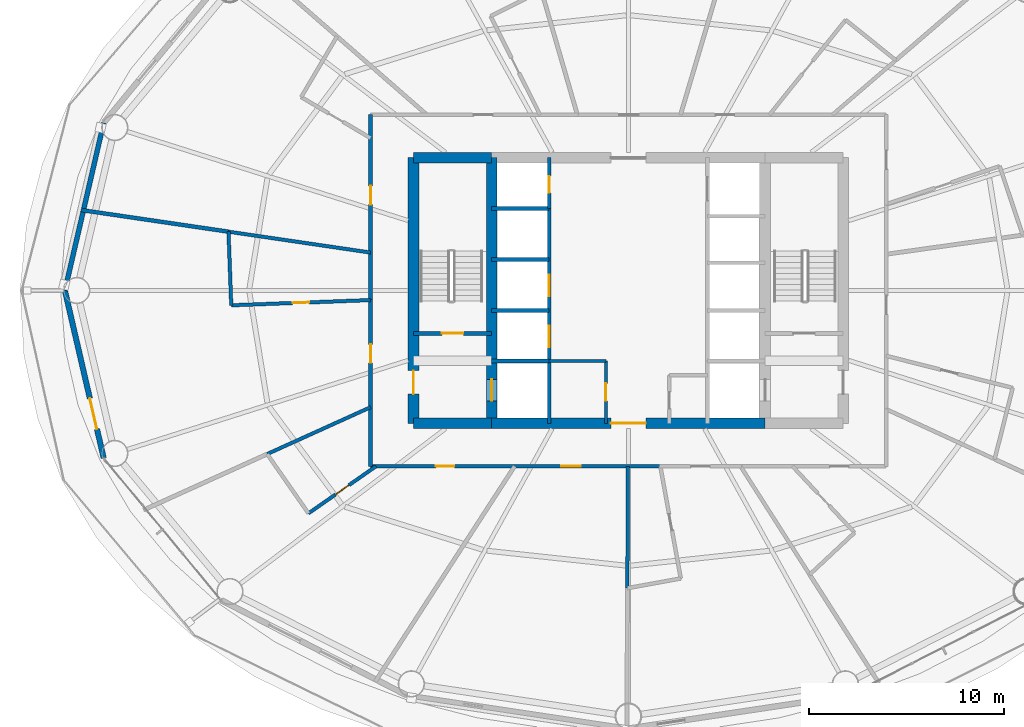
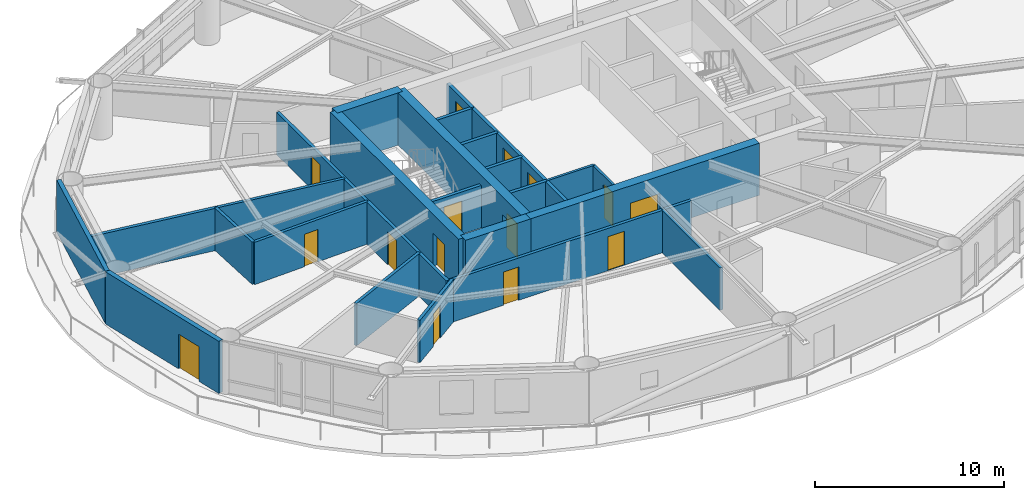
# One storey, part 18 of 24: 27 walls, 15 doors, 15 openings.
"""IFC4 building model written with IfcOpenShell, lengths in metres."""

from ifc_helpers import new_model, si_unit, direction, frame, frame_2d, origin, place, context, subcontext, project, spatial, rectangle, extrude, material, layer, layer_set, type_object, element, fill, save


model = new_model("IFC4")

# Units and contexts
model_context = context("Model", 3, precision=1e-05, world=origin(), true_north=direction((0.0, 1.0)))
body_context = subcontext(model_context, "Body", "Model", "MODEL_VIEW")
ifc_project = project(units=[si_unit("LENGTHUNIT", "METRE"), si_unit("AREAUNIT", "SQUARE_METRE"), si_unit("VOLUMEUNIT", "CUBIC_METRE"), si_unit("PLANEANGLEUNIT", "RADIAN"), si_unit("MASSUNIT", "GRAM", prefix="KILO")], contexts=[model_context])

# Site, building, storey
site_placement = place(None, origin())
site = spatial("IfcSite", under=ifc_project, at=site_placement, CompositionType="ELEMENT")
building_placement = place(site_placement, origin())
building = spatial("IfcBuilding", under=site, at=building_placement, Name="Sarneth Arch Tower", CompositionType="ELEMENT")
storey_placement = place(building_placement, frame((0.0, 0.0, 120.0)))
storey = spatial("IfcBuildingStorey", under=building, at=storey_placement, Name="L30", CompositionType="ELEMENT", Elevation=120.0)

# Wall
ifc_material_1 = material(Name="Concrete C60/75", Category="concrete")
ifc_layer_1 = layer(ifc_material_1, 0.550048828125)
ifc_layer_set_1 = layer_set([ifc_layer_1], Name="Concrete C60/75")
wall_type_1 = type_object("IfcWallType", Name="WALL-CORE-550", PredefinedType="SHEAR", material=ifc_layer_set_1)
wall_1_placement = place(storey_placement, frame((37.0, 35.199951171875, 0.0), z_axis=(0.0, 0.0, 1.0), x_axis=(1.0, 0.0, 0.0)))
element("IfcWall", 1, at=wall_1_placement, inside=storey, type_object=wall_type_1, Name="L30 Core shear wall S-W", PredefinedType="SHEAR", context=body_context, shape_type="SweptSolid", body=[
    extrude(rectangle(XDim=4.0, YDim=0.550048828125, at=frame_2d((2.0, 0.0))), origin(), (0.0, 0.0, 1.0), 3.3798828125),
])

# Wall, opening, door
wall_2_placement = place(storey_placement, frame((41.0, 35.199951171875, 0.0), z_axis=(0.0, 0.0, 1.0), x_axis=(1.0, 0.0, 0.0)))
wall_2 = element("IfcWall", 2, at=wall_2_placement, inside=storey, type_object=wall_type_1, Name="L30 Core shear wall S-M", PredefinedType="SHEAR", context=body_context, shape_type="SweptSolid", body=[
    extrude(rectangle(XDim=14.0, YDim=0.550048828125, at=frame_2d((7.0, 0.0))), origin(), (0.0, 0.0, 1.0), 3.3798828125),
])
opening_1_placement = place(wall_2_placement, frame((6.10009765625, 0.0, 0.0)))
opening_1 = element("IfcOpeningElement", 3, at=opening_1_placement, cuts=wall_2, Name="Opening FD-01", PredefinedType="OPENING", context=body_context, shape_type="SweptSolid", body=[
    extrude(rectangle(XDim=1.800048828125, YDim=2.25, at=frame_2d((0.89990234375, 1.125))), frame((0.0, 0.284912109375, 0.0), z_axis=(0.0, -1.0, 0.0), x_axis=(1.0, 0.0, 0.0)), (0.0, 0.0, 1.0), 0.570068359375),
])
ifc_material_2 = material(Name="Galvanised Steel S275 fire door set", Category="steel")
door_type_1 = type_object("IfcDoorType", Name="DR-FD90-1800", OperationType="DOUBLE_DOOR_SINGLE_SWING", PredefinedType="DOOR", material=ifc_material_2)
door_1_placement = place(opening_1_placement, origin())
door_1 = element("IfcDoor", 4, at=door_1_placement, inside=storey, type_object=door_type_1, Name="L30 Central lift lobby south door", OperationType="DOUBLE_DOOR_SINGLE_SWING", OverallHeight=2.25, OverallWidth=1.800048828125, PredefinedType="DOOR", context=body_context, shape_type="SweptSolid", body=[
    extrude(rectangle(XDim=1.800048828125, YDim=2.25, at=frame_2d((0.89990234375, 1.125))), frame((0.0, 0.02490234375, 0.0), z_axis=(0.0, -1.0, 0.0), x_axis=(1.0, 0.0, 0.0)), (0.0, 0.0, 1.0), 0.050048828125),
])
fill(opening_1, door_1)

# Wall
wall_3_placement = place(storey_placement, frame((37.0, 48.800048828125, 0.0), z_axis=(0.0, 0.0, 1.0), x_axis=(1.0, 0.0, 0.0)))
element("IfcWall", 5, at=wall_3_placement, inside=storey, type_object=wall_type_1, Name="L30 Core shear wall N-W", PredefinedType="SHEAR", context=body_context, shape_type="SweptSolid", body=[
    extrude(rectangle(XDim=4.0, YDim=0.550048828125, at=frame_2d((2.0, 0.0))), origin(), (0.0, 0.0, 1.0), 3.3798828125),
])

# Wall, opening, door
wall_4_placement = place(storey_placement, frame((37.0, 35.199951171875, 0.0), z_axis=(0.0, 0.0, 1.0), x_axis=(0.0, 1.0, 0.0)))
wall_4 = element("IfcWall", 6, at=wall_4_placement, inside=storey, type_object=wall_type_1, Name="L30 Core shear wall W", PredefinedType="SHEAR", context=body_context, shape_type="SweptSolid", body=[
    extrude(rectangle(XDim=13.60009765625, YDim=0.550048828125, at=frame_2d((6.800048828125, 0.0))), origin(), (0.0, 0.0, 1.0), 3.3798828125),
])
opening_2_placement = place(wall_4_placement, frame((1.5, 0.0, 0.0)))
opening_2 = element("IfcOpeningElement", 7, at=opening_2_placement, cuts=wall_4, Name="Opening FD-02", PredefinedType="OPENING", context=body_context, shape_type="SweptSolid", body=[
    extrude(rectangle(XDim=1.199951171875, YDim=2.14990234375, at=frame_2d((0.60009765625, 1.074951171875))), frame((0.0, 0.284912109375, 0.0), z_axis=(0.0, -1.0, 0.0), x_axis=(1.0, 0.0, 0.0)), (0.0, 0.0, 1.0), 0.570068359375),
])
ifc_material_3 = material(Name="Galvanised Steel S275 fire door set", Category="steel")
door_type_2 = type_object("IfcDoorType", Name="DR-FD90-1200", OperationType="SINGLE_SWING_LEFT", PredefinedType="DOOR", material=ifc_material_3)
door_2_placement = place(opening_2_placement, origin())
door_2 = element("IfcDoor", 8, at=door_2_placement, inside=storey, type_object=door_type_2, Name="L30 Firefighting lobby 1 exit door", OperationType="SINGLE_SWING_LEFT", OverallHeight=2.14990234375, OverallWidth=1.199951171875, PredefinedType="DOOR", context=body_context, shape_type="SweptSolid", body=[
    extrude(rectangle(XDim=1.199951171875, YDim=2.14990234375, at=frame_2d((0.60009765625, 1.074951171875))), frame((0.0, 0.02490234375, 0.0), z_axis=(0.0, -1.0, 0.0), x_axis=(1.0, 0.0, 0.0)), (0.0, 0.0, 1.0), 0.050048828125),
])
fill(opening_2, door_2)

wall_5_placement = place(storey_placement, frame((41.0, 35.199951171875, 0.0), z_axis=(0.0, 0.0, 1.0), x_axis=(0.0, 1.0, 0.0)))
wall_5 = element("IfcWall", 9, at=wall_5_placement, inside=storey, type_object=wall_type_1, Name="L30 Core shear wall WEB-W", PredefinedType="SHEAR", context=body_context, shape_type="SweptSolid", body=[
    extrude(rectangle(XDim=13.60009765625, YDim=0.550048828125, at=frame_2d((6.800048828125, 0.0))), origin(), (0.0, 0.0, 1.0), 3.3798828125),
])
opening_3_placement = place(wall_5_placement, frame((1.14990234375, 0.0, 0.0)))
opening_3 = element("IfcOpeningElement", 10, at=opening_3_placement, cuts=wall_5, Name="Opening LD-1", PredefinedType="OPENING", context=body_context, shape_type="SweptSolid", body=[
    extrude(rectangle(XDim=1.10009765625, YDim=2.199951171875, at=frame_2d((0.550048828125, 1.10009765625))), frame((0.0, 0.284912109375, 0.0), z_axis=(0.0, -1.0, 0.0), x_axis=(1.0, 0.0, 0.0)), (0.0, 0.0, 1.0), 0.570068359375),
])
ifc_material_4 = material(Name="Brushed Stainless Steel 304 lift landing door", Category="steel")
door_type_3 = type_object("IfcDoorType", Name="DR-LIFT-SLIDE-1100", OperationType="SLIDING_TO_LEFT", PredefinedType="DOOR", material=ifc_material_4)
door_3_placement = place(opening_3_placement, origin())
door_3 = element("IfcDoor", 11, at=door_3_placement, inside=storey, type_object=door_type_3, Name="L30 Firefighting lift landing door FL-1", OperationType="SLIDING_TO_LEFT", OverallHeight=2.199951171875, OverallWidth=1.10009765625, PredefinedType="DOOR", context=body_context, shape_type="SweptSolid", body=[
    extrude(rectangle(XDim=1.10009765625, YDim=2.199951171875, at=frame_2d((0.550048828125, 1.10009765625))), frame((0.0, 0.02490234375, 0.0), z_axis=(0.0, -1.0, 0.0), x_axis=(1.0, 0.0, 0.0)), (0.0, 0.0, 1.0), 0.050048828125),
])
fill(opening_3, door_3)

# Wall, openings, doors
ifc_material_5 = material(Name="Double steel-stud corridor fire wall", Category="steel")
ifc_layer_2 = layer(ifc_material_5, 0.18994140625)
ifc_layer_set_2 = layer_set([ifc_layer_2], Name="Double steel-stud corridor fire wall")
wall_type_2 = type_object("IfcWallType", Name="WALL-CORR-190", PredefinedType="PARTITIONING", material=ifc_layer_set_2)
wall_6_placement = place(storey_placement, frame((49.6708984375, 33.0, 0.0), z_axis=(0.0, 0.0, 1.0), x_axis=(-1.0, 0.0, 0.0)))
wall_6 = element("IfcWall", 12, at=wall_6_placement, inside=storey, type_object=wall_type_2, Name="L30 Interior partition W-L30-TP-014", PredefinedType="PARTITIONING", context=body_context, shape_type="SweptSolid", body=[
    extrude(rectangle(XDim=14.870849609375, YDim=0.18994140625, at=frame_2d((7.435546875, 0.0))), origin(), (0.0, 0.0, 1.0), 2.739990234375),
])
opening_4_placement = place(wall_6_placement, frame((10.576416015625, 0.0, 0.0)))
opening_4 = element("IfcOpeningElement", 13, at=opening_4_placement, cuts=wall_6, Name="Opening FD-09", PredefinedType="OPENING", context=body_context, shape_type="SweptSolid", body=[
    extrude(rectangle(XDim=0.949951171875, YDim=2.14990234375, at=frame_2d((0.47509765625, 1.074951171875))), frame((0.0, 0.10498046875, 0.0), z_axis=(0.0, -1.0, 0.0), x_axis=(1.0, 0.0, 0.0)), (0.0, 0.0, 1.0), 0.2099609375),
])
opening_5_placement = place(wall_6_placement, frame((4.1005859375, 0.0, 0.0)))
opening_5 = element("IfcOpeningElement", 14, at=opening_5_placement, cuts=wall_6, Name="Opening FD-08", PredefinedType="OPENING", context=body_context, shape_type="SweptSolid", body=[
    extrude(rectangle(XDim=1.0, YDim=2.199951171875, at=frame_2d((0.5, 1.10009765625))), frame((0.0, 0.10498046875, 0.0), z_axis=(0.0, -1.0, 0.0), x_axis=(1.0, 0.0, 0.0)), (0.0, 0.0, 1.0), 0.2099609375),
])
ifc_material_6 = material(Name="Hardwood timber acoustic fire door", Category="wood")
door_type_4 = type_object("IfcDoorType", Name="DR-FD60-1000", OperationType="SINGLE_SWING_LEFT", PredefinedType="DOOR", material=ifc_material_6)
door_4_placement = place(opening_5_placement, origin())
door_4 = element("IfcDoor", 15, at=door_4_placement, inside=storey, type_object=door_type_4, Name="L30 Interior door DR-L30-AMN-08", OperationType="SINGLE_SWING_LEFT", OverallHeight=2.199951171875, OverallWidth=1.0, PredefinedType="DOOR", context=body_context, shape_type="SweptSolid", body=[
    extrude(rectangle(XDim=1.0, YDim=2.199951171875, at=frame_2d((0.5, 1.10009765625))), frame((0.0, 0.02490234375, 0.0), z_axis=(0.0, -1.0, 0.0), x_axis=(1.0, 0.0, 0.0)), (0.0, 0.0, 1.0), 0.050048828125),
])
fill(opening_5, door_4)
ifc_material_7 = material(Name="Hardwood timber hotel entrance fire door", Category="wood")
door_type_5 = type_object("IfcDoorType", Name="DR-FD60-950", OperationType="SINGLE_SWING_RIGHT", PredefinedType="DOOR", material=ifc_material_7)
door_5_placement = place(opening_4_placement, origin())
door_5 = element("IfcDoor", 16, at=door_5_placement, inside=storey, type_object=door_type_5, Name="L30 Interior door DR-L30-KEY-07", OperationType="SINGLE_SWING_RIGHT", OverallHeight=2.14990234375, OverallWidth=0.949951171875, PredefinedType="DOOR", context=body_context, shape_type="SweptSolid", body=[
    extrude(rectangle(XDim=0.949951171875, YDim=2.14990234375, at=frame_2d((0.47509765625, 1.074951171875))), frame((0.0, 0.02490234375, 0.0), z_axis=(0.0, -1.0, 0.0), x_axis=(1.0, 0.0, 0.0)), (0.0, 0.0, 1.0), 0.050048828125),
])
fill(opening_4, door_5)

# Wall, opening, door
wall_7_placement = place(storey_placement, frame((34.800048828125, 41.4755859375, 0.0), z_axis=(0.0, 0.0, 1.0), x_axis=(0.0, 1.0, 0.0)))
wall_7 = element("IfcWall", 17, at=wall_7_placement, inside=storey, type_object=wall_type_2, Name="L30 Interior partition W-L30-TP-009", PredefinedType="PARTITIONING", context=body_context, shape_type="SweptSolid", body=[
    extrude(rectangle(XDim=9.5244140625, YDim=0.18994140625, at=frame_2d((4.76220703125, 0.0))), origin(), (0.0, 0.0, 1.0), 2.739990234375),
])
opening_6_placement = place(wall_7_placement, frame((4.924072265625, 0.0, 0.0)))
opening_6 = element("IfcOpeningElement", 18, at=opening_6_placement, cuts=wall_7, Name="Opening FD-09", PredefinedType="OPENING", context=body_context, shape_type="SweptSolid", body=[
    extrude(rectangle(XDim=0.949951171875, YDim=2.14990234375, at=frame_2d((0.47509765625, 1.074951171875))), frame((0.0, 0.10498046875, 0.0), z_axis=(0.0, -1.0, 0.0), x_axis=(1.0, 0.0, 0.0)), (0.0, 0.0, 1.0), 0.2099609375),
])
door_6_placement = place(opening_6_placement, origin())
door_6 = element("IfcDoor", 19, at=door_6_placement, inside=storey, type_object=door_type_5, Name="L30 Interior door DR-L30-KEY-05", OperationType="SINGLE_SWING_LEFT", OverallHeight=2.14990234375, OverallWidth=0.949951171875, PredefinedType="DOOR", context=body_context, shape_type="SweptSolid", body=[
    extrude(rectangle(XDim=0.949951171875, YDim=2.14990234375, at=frame_2d((0.47509765625, 1.074951171875))), frame((0.0, 0.02490234375, 0.0), z_axis=(0.0, -1.0, 0.0), x_axis=(1.0, 0.0, 0.0)), (0.0, 0.0, 1.0), 0.050048828125),
])
fill(opening_6, door_6)

wall_8_placement = place(storey_placement, frame((34.800048828125, 33.0, 0.0), z_axis=(0.0, 0.0, 1.0), x_axis=(0.0, 1.0, 0.0)))
wall_8 = element("IfcWall", 20, at=wall_8_placement, inside=storey, type_object=wall_type_2, Name="L30 Interior partition W-L30-TP-012", PredefinedType="PARTITIONING", context=body_context, shape_type="SweptSolid", body=[
    extrude(rectangle(XDim=8.53955078125, YDim=0.18994140625, at=frame_2d((4.269775390625, 0.0))), origin(), (0.0, 0.0, 1.0), 2.739990234375),
])
opening_7_placement = place(wall_8_placement, frame((5.288330078125, 0.0, 0.0)))
opening_7 = element("IfcOpeningElement", 21, at=opening_7_placement, cuts=wall_8, Name="Opening FD-09", PredefinedType="OPENING", context=body_context, shape_type="SweptSolid", body=[
    extrude(rectangle(XDim=0.949951171875, YDim=2.14990234375, at=frame_2d((0.47509765625, 1.074951171875))), frame((0.0, 0.10498046875, 0.0), z_axis=(0.0, -1.0, 0.0), x_axis=(1.0, 0.0, 0.0)), (0.0, 0.0, 1.0), 0.2099609375),
])
door_7_placement = place(opening_7_placement, origin())
door_7 = element("IfcDoor", 22, at=door_7_placement, inside=storey, type_object=door_type_5, Name="L30 Interior door DR-L30-KEY-06", OperationType="SINGLE_SWING_RIGHT", OverallHeight=2.14990234375, OverallWidth=0.949951171875, PredefinedType="DOOR", context=body_context, shape_type="SweptSolid", body=[
    extrude(rectangle(XDim=0.949951171875, YDim=2.14990234375, at=frame_2d((0.47509765625, 1.074951171875))), frame((0.0, 0.02490234375, 0.0), z_axis=(0.0, -1.0, 0.0), x_axis=(1.0, 0.0, 0.0)), (0.0, 0.0, 1.0), 0.050048828125),
])
fill(opening_7, door_7)

# Wall
ifc_material_8 = material(Name="Extruded terracotta rainscreen on Concrete C40/50 backing", Category="masonry")
ifc_layer_3 = layer(ifc_material_8, 0.25)
ifc_layer_set_3 = layer_set([ifc_layer_3], Name="Extruded terracotta rainscreen on Concrete C40/50 backing")
wall_type_3 = type_object("IfcWallType", Name="WALL-EXT-SPAND-250", PredefinedType="SOLIDWALL", material=ifc_layer_set_3)
wall_9_placement = place(storey_placement, frame((21.138671875, 50.58349609375, 0.0), z_axis=(0.0, 0.0, 1.0), x_axis=(-0.22558597182, -0.974223264616, 0.0)))
element("IfcWall", 23, at=wall_9_placement, inside=storey, type_object=wall_type_3, Name="L30 Terracotta perimeter wall 08", PredefinedType="SOLIDWALL", context=body_context, shape_type="SweptSolid", body=[
    extrude(rectangle(XDim=8.810546875, YDim=0.25, at=frame_2d((4.4052734375, 0.0))), origin(), (0.0, 0.0, 1.0), 3.3798828125),
])

# Wall, opening, door
ifc_material_9 = material(Name="Extruded terracotta rainscreen on Concrete C40/50 backing", Category="masonry")
ifc_layer_4 = layer(ifc_material_9, 0.280029296875)
ifc_layer_set_4 = layer_set([ifc_layer_4], Name="Extruded terracotta rainscreen on Concrete C40/50 backing")
wall_type_4 = type_object("IfcWallType", Name="WALL-EXT-TERRA-280", PredefinedType="SOLIDWALL", material=ifc_layer_set_4)
wall_10_placement = place(storey_placement, frame((19.151123046875, 42.0, 0.0), z_axis=(0.0, 0.0, 1.0), x_axis=(0.22558597182, -0.974223264616, 0.0)))
wall_10 = element("IfcWall", 24, at=wall_10_placement, inside=storey, type_object=wall_type_4, Name="L30 Terracotta perimeter wall 09", PredefinedType="SOLIDWALL", context=body_context, shape_type="SweptSolid", body=[
    extrude(rectangle(XDim=8.810546875, YDim=0.280029296875, at=frame_2d((4.4052734375, 0.0))), origin(), (0.0, 0.0, 1.0), 3.3798828125),
])
opening_8_placement = place(wall_10_placement, frame((5.674560546875, 0.0, 0.0)))
opening_8 = element("IfcOpeningElement", 25, at=opening_8_placement, cuts=wall_10, Name="Opening BD-1", PredefinedType="OPENING", context=body_context, shape_type="SweptSolid", body=[
    extrude(rectangle(XDim=1.60009765625, YDim=2.25, at=frame_2d((0.800048828125, 1.125))), frame((0.0, 0.14990234375, 0.0), z_axis=(0.0, -1.0, 0.0), x_axis=(1.0, 0.0, 0.0)), (0.0, 0.0, 1.0), 0.300048828125),
])
ifc_material_10 = material(Name="Thermally broken Aluminium 6063-T6 and laminated safety glass", Category="aluminium")
door_type_6 = type_object("IfcDoorType", Name="DR-BALC-GLZ-1600", OperationType="DOUBLE_DOOR_SINGLE_SWING", PredefinedType="DOOR", material=ifc_material_10)
door_8_placement = place(opening_8_placement, origin())
door_8 = element("IfcDoor", 26, at=door_8_placement, inside=storey, type_object=door_type_6, Name="L30 Balcony glazed door 09", OperationType="DOUBLE_DOOR_SINGLE_SWING", OverallHeight=2.25, OverallWidth=1.60009765625, PredefinedType="DOOR", context=body_context, shape_type="SweptSolid", body=[
    extrude(rectangle(XDim=1.60009765625, YDim=2.25, at=frame_2d((0.800048828125, 1.125))), frame((0.0, 0.02490234375, 0.0), z_axis=(0.0, -1.0, 0.0), x_axis=(1.0, 0.0, 0.0)), (0.0, 0.0, 1.0), 0.050048828125),
])
fill(opening_8, door_8)

# Wall
ifc_material_11 = material(Name="Acoustic gypsum stud partition", Category="gypsum")
ifc_layer_5 = layer(ifc_material_11, 0.14990234375)
ifc_layer_set_5 = layer_set([ifc_layer_5], Name="Acoustic gypsum stud partition")
wall_type_5 = type_object("IfcWallType", Name="WALL-PART-150", PredefinedType="PARTITIONING", material=ifc_layer_set_5)
wall_11_placement = place(storey_placement, frame((43.949951171875, 38.39990234375, 0.0), z_axis=(0.0, 0.0, 1.0), x_axis=(1.0, 0.0, 0.0)))
element("IfcWall", 27, at=wall_11_placement, inside=storey, type_object=wall_type_5, Name="L30 Interior partition W-L30-CSUP1-N", PredefinedType="PARTITIONING", context=body_context, shape_type="SweptSolid", body=[
    extrude(rectangle(XDim=2.900146484375, YDim=0.14990234375, at=frame_2d((1.4501953125, 0.0))), origin(), (0.0, 0.0, 1.0), 2.739990234375),
])

# Wall, opening, door
wall_12_placement = place(storey_placement, frame((46.85009765625, 35.199951171875, 0.0), z_axis=(0.0, 0.0, 1.0), x_axis=(0.0, 1.0, 0.0)))
wall_12 = element("IfcWall", 28, at=wall_12_placement, inside=storey, type_object=wall_type_5, Name="L30 Interior partition W-L30-CSUP1-E", PredefinedType="PARTITIONING", context=body_context, shape_type="SweptSolid", body=[
    extrude(rectangle(XDim=3.199951171875, YDim=0.14990234375, at=frame_2d((1.60009765625, 0.0))), origin(), (0.0, 0.0, 1.0), 2.739990234375),
])
opening_9_placement = place(wall_12_placement, frame((1.14990234375, 0.0, 0.0)))
opening_9 = element("IfcOpeningElement", 29, at=opening_9_placement, cuts=wall_12, Name="Opening FD-10", PredefinedType="OPENING", context=body_context, shape_type="SweptSolid", body=[
    extrude(rectangle(XDim=0.89990234375, YDim=2.14990234375, at=frame_2d((0.449951171875, 1.074951171875))), frame((0.0, 0.0849609375, 0.0), z_axis=(0.0, -1.0, 0.0), x_axis=(1.0, 0.0, 0.0)), (0.0, 0.0, 1.0), 0.169921875),
])
ifc_material_12 = material(Name="Galvanised Steel S275 riser/service fire door", Category="steel")
door_type_7 = type_object("IfcDoorType", Name="DR-FD60-900", OperationType="SINGLE_SWING_LEFT", PredefinedType="DOOR", material=ifc_material_12)
door_9_placement = place(opening_9_placement, origin())
door_9 = element("IfcDoor", 30, at=door_9_placement, inside=storey, type_object=door_type_7, Name="L30 Interior door DR-L30-CSUP1", OperationType="SINGLE_SWING_LEFT", OverallHeight=2.14990234375, OverallWidth=0.89990234375, PredefinedType="DOOR", context=body_context, shape_type="SweptSolid", body=[
    extrude(rectangle(XDim=0.89990234375, YDim=2.14990234375, at=frame_2d((0.449951171875, 1.074951171875))), frame((0.0, 0.02490234375, 0.0), z_axis=(0.0, -1.0, 0.0), x_axis=(1.0, 0.0, 0.0)), (0.0, 0.0, 1.0), 0.050048828125),
])
fill(opening_9, door_9)

# Wall
ifc_material_13 = material(Name="Moisture-resistant plumbing chase wall", Category="gypsum")
ifc_layer_6 = layer(ifc_material_13, 0.179931640625)
ifc_layer_set_6 = layer_set([ifc_layer_6], Name="Moisture-resistant plumbing chase wall")
wall_type_6 = type_object("IfcWallType", Name="WALL-PLUMB-180", PredefinedType="PLUMBINGWALL", material=ifc_layer_set_6)
wall_13_placement = place(storey_placement, frame((27.5283203125, 45.009765625, 0.0), z_axis=(0.0, 0.0, 1.0), x_axis=(0.989364619243, -0.145456695238, 0.0)))
element("IfcWall", 31, at=wall_13_placement, inside=storey, type_object=wall_type_6, Name="L30 Interior partition W-L30-TP-043", PredefinedType="PLUMBINGWALL", context=body_context, shape_type="SweptSolid", body=[
    extrude(rectangle(XDim=7.349853515625, YDim=0.179931640625, at=frame_2d((3.6748046875, 0.0))), origin(), (0.0, 0.0, 1.0), 2.739990234375),
])

# Wall, opening, door
wall_14_placement = place(storey_placement, frame((34.800048828125, 41.507568359375, 0.0), z_axis=(0.0, 0.0, 1.0), x_axis=(-0.999305711591, -0.037257144028, 0.0)))
wall_14 = element("IfcWall", 32, at=wall_14_placement, inside=storey, type_object=wall_type_6, Name="L30 Interior partition W-L30-TP-044", PredefinedType="PLUMBINGWALL", context=body_context, shape_type="SweptSolid", body=[
    extrude(rectangle(XDim=7.135986328125, YDim=0.179931640625, at=frame_2d((3.56787109375, 0.0))), origin(), (0.0, 0.0, 1.0), 2.739990234375),
])
opening_10_placement = place(wall_14_placement, frame((3.14306640625, 0.0, 0.0)))
opening_10 = element("IfcOpeningElement", 33, at=opening_10_placement, cuts=wall_14, Name="Opening ID-02", PredefinedType="OPENING", context=body_context, shape_type="SweptSolid", body=[
    extrude(rectangle(XDim=0.85009765625, YDim=2.10009765625, at=frame_2d((0.425048828125, 1.050048828125))), frame((0.0, 0.099853515625, 0.0), z_axis=(0.0, -1.0, 0.0), x_axis=(1.0, 0.0, 0.0)), (0.0, 0.0, 1.0), 0.199951171875),
])
ifc_material_14 = material(Name="Moisture-resistant bathroom timber door", Category="wood")
door_type_8 = type_object("IfcDoorType", Name="DR-INT-850", OperationType="SINGLE_SWING_RIGHT", PredefinedType="DOOR", material=ifc_material_14)
door_10_placement = place(opening_10_placement, origin())
door_10 = element("IfcDoor", 34, at=door_10_placement, inside=storey, type_object=door_type_8, Name="L30 Interior door DR-L30-ENS-06", OperationType="SINGLE_SWING_RIGHT", OverallHeight=2.10009765625, OverallWidth=0.85009765625, PredefinedType="DOOR", context=body_context, shape_type="SweptSolid", body=[
    extrude(rectangle(XDim=0.85009765625, YDim=2.10009765625, at=frame_2d((0.425048828125, 1.050048828125))), frame((0.0, 0.02490234375, 0.0), z_axis=(0.0, -1.0, 0.0), x_axis=(1.0, 0.0, 0.0)), (0.0, 0.0, 1.0), 0.050048828125),
])
fill(opening_10, door_10)

# Walls
wall_15_placement = place(storey_placement, frame((47.95166015625, 26.75830078125, 0.0), z_axis=(0.0, 0.0, 1.0), x_axis=(0.003168254458, 0.999994981069, 0.0)))
element("IfcWall", 35, at=wall_15_placement, inside=storey, type_object=wall_type_6, Name="L30 Interior partition W-L30-TP-052", PredefinedType="PLUMBINGWALL", context=body_context, shape_type="SweptSolid", body=[
    extrude(rectangle(XDim=6.24169921875, YDim=0.179931640625, at=frame_2d((3.120849609375, 0.0))), origin(), (0.0, 0.0, 1.0), 2.739990234375),
])
wall_16_placement = place(storey_placement, frame((29.507080078125, 33.62548828125, 0.0), z_axis=(0.0, 0.0, 1.0), x_axis=(0.910959840523, 0.412495053248, 0.0)))
element("IfcWall", 36, at=wall_16_placement, inside=storey, type_object=wall_type_6, Name="L30 Interior partition W-L30-TP-047", PredefinedType="PLUMBINGWALL", context=body_context, shape_type="SweptSolid", body=[
    extrude(rectangle(XDim=5.810302734375, YDim=0.179931640625, at=frame_2d((2.9052734375, 0.0))), origin(), (0.0, 0.0, 1.0), 2.739990234375),
])

# Wall, opening, door
wall_17_placement = place(storey_placement, frame((35.081298828125, 33.0, 0.0), z_axis=(0.0, 0.0, 1.0), x_axis=(-0.820508449427, -0.571634397512, 0.0)))
wall_17 = element("IfcWall", 37, at=wall_17_placement, inside=storey, type_object=wall_type_6, Name="L30 Interior partition W-L30-TP-048", PredefinedType="PLUMBINGWALL", context=body_context, shape_type="SweptSolid", body=[
    extrude(rectangle(XDim=4.21630859375, YDim=0.179931640625, at=frame_2d((2.108154296875, 0.0))), origin(), (0.0, 0.0, 1.0), 2.739990234375),
])
opening_11_placement = place(wall_17_placement, frame((1.68310546875, 0.0, 0.0)))
opening_11 = element("IfcOpeningElement", 38, at=opening_11_placement, cuts=wall_17, Name="Opening ID-02", PredefinedType="OPENING", context=body_context, shape_type="SweptSolid", body=[
    extrude(rectangle(XDim=0.85009765625, YDim=2.10009765625, at=frame_2d((0.425048828125, 1.050048828125))), frame((0.0, 0.099853515625, 0.0), z_axis=(0.0, -1.0, 0.0), x_axis=(1.0, 0.0, 0.0)), (0.0, 0.0, 1.0), 0.199951171875),
])
door_11_placement = place(opening_11_placement, origin())
door_11 = element("IfcDoor", 39, at=door_11_placement, inside=storey, type_object=door_type_8, Name="L30 Interior door DR-L30-ENS-07", OperationType="SINGLE_SWING_RIGHT", OverallHeight=2.10009765625, OverallWidth=0.85009765625, PredefinedType="DOOR", context=body_context, shape_type="SweptSolid", body=[
    extrude(rectangle(XDim=0.85009765625, YDim=2.10009765625, at=frame_2d((0.425048828125, 1.050048828125))), frame((0.0, 0.02490234375, 0.0), z_axis=(0.0, -1.0, 0.0), x_axis=(1.0, 0.0, 0.0)), (0.0, 0.0, 1.0), 0.050048828125),
])
fill(opening_11, door_11)

# Wall
wall_18_placement = place(storey_placement, frame((27.6689453125, 41.24169921875, 0.0), z_axis=(0.0, 0.0, 1.0), x_axis=(-0.037294239527, 0.999304327869, 0.0)))
element("IfcWall", 40, at=wall_18_placement, inside=storey, type_object=wall_type_6, Name="L30 Interior partition W-L30-TP-045", PredefinedType="PLUMBINGWALL", context=body_context, shape_type="SweptSolid", body=[
    extrude(rectangle(XDim=3.770751953125, YDim=0.179931640625, at=frame_2d((1.88525390625, 0.0))), origin(), (0.0, 0.0, 1.0), 2.739990234375),
])

# Wall, opening, door
ifc_material_15 = material(Name="Aerated concrete blockwork C25/30", Category="masonry")
ifc_layer_7 = layer(ifc_material_15, 0.199951171875)
ifc_layer_set_7 = layer_set([ifc_layer_7], Name="Aerated concrete blockwork C25/30")
wall_type_7 = type_object("IfcWallType", Name="WALL-SHAFT-200", PredefinedType="SOLIDWALL", material=ifc_layer_set_7)
wall_19_placement = place(storey_placement, frame((37.0, 39.800048828125, 0.0), z_axis=(0.0, 0.0, 1.0), x_axis=(1.0, 0.0, 0.0)))
wall_19 = element("IfcWall", 41, at=wall_19_placement, inside=storey, type_object=wall_type_7, Name="L30 Interior partition W-L30-ST1-S", PredefinedType="SOLIDWALL", context=body_context, shape_type="SweptSolid", body=[
    extrude(rectangle(XDim=4.0, YDim=0.199951171875, at=frame_2d((2.0, 0.0))), origin(), (0.0, 0.0, 1.0), 2.739990234375),
])
opening_12_placement = place(wall_19_placement, frame((1.449951171875, 0.0, 0.0)))
opening_12 = element("IfcOpeningElement", 42, at=opening_12_placement, cuts=wall_19, Name="Opening FD-03", PredefinedType="OPENING", context=body_context, shape_type="SweptSolid", body=[
    extrude(rectangle(XDim=1.10009765625, YDim=2.14990234375, at=frame_2d((0.550048828125, 1.074951171875))), frame((0.0, 0.10986328125, 0.0), z_axis=(0.0, -1.0, 0.0), x_axis=(1.0, 0.0, 0.0)), (0.0, 0.0, 1.0), 0.219970703125),
])
ifc_material_16 = material(Name="Galvanised Steel S275 fire door set", Category="steel")
door_type_9 = type_object("IfcDoorType", Name="DR-FD90-1100", OperationType="SINGLE_SWING_LEFT", PredefinedType="DOOR", material=ifc_material_16)
door_12_placement = place(opening_12_placement, origin())
door_12 = element("IfcDoor", 43, at=door_12_placement, inside=storey, type_object=door_type_9, Name="L30 Interior door DR-L30-ST1", OperationType="SINGLE_SWING_LEFT", OverallHeight=2.14990234375, OverallWidth=1.10009765625, PredefinedType="DOOR", context=body_context, shape_type="SweptSolid", body=[
    extrude(rectangle(XDim=1.10009765625, YDim=2.14990234375, at=frame_2d((0.550048828125, 1.074951171875))), frame((0.0, 0.02490234375, 0.0), z_axis=(0.0, -1.0, 0.0), x_axis=(1.0, 0.0, 0.0)), (0.0, 0.0, 1.0), 0.050048828125),
])
fill(opening_12, door_12)

# Walls
wall_20_placement = place(storey_placement, frame((43.949951171875, 35.199951171875, 0.0), z_axis=(0.0, 0.0, 1.0), x_axis=(0.0, 1.0, 0.0)))
element("IfcWall", 44, at=wall_20_placement, inside=storey, type_object=wall_type_7, Name="L30 Interior partition W-L30-FL1-E", PredefinedType="SOLIDWALL", context=body_context, shape_type="SweptSolid", body=[
    extrude(rectangle(XDim=3.199951171875, YDim=0.199951171875, at=frame_2d((1.60009765625, 0.0))), origin(), (0.0, 0.0, 1.0), 2.739990234375),
])
for number, where, z_axis, x_axis, name in (
    (45, (41.0, 38.39990234375, 0.0), (0.0, 0.0, 1.0), (1.0, 0.0, 0.0), "L30 Interior partition W-L30-FL1-N"),
    (46, (41.0, 46.199951171875, 0.0), (0.0, 0.0, 1.0), (1.0, 0.0, 0.0), "L30 Interior partition W-L30-RISER-S"),
):
    element("IfcWall", number, at=place(storey_placement, frame(where, z_axis=z_axis, x_axis=x_axis)), inside=storey, type_object=wall_type_7, Name=name, PredefinedType="SOLIDWALL", context=body_context, shape_type="SweptSolid", body=[
        extrude(rectangle(XDim=2.949951171875, YDim=0.199951171875, at=frame_2d((1.47509765625, 0.0))), origin(), (0.0, 0.0, 1.0), 2.739990234375),
    ])

# Wall, opening, door
wall_21_placement = place(storey_placement, frame((43.949951171875, 46.199951171875, 0.0), z_axis=(0.0, 0.0, 1.0), x_axis=(0.0, 1.0, 0.0)))
wall_21 = element("IfcWall", 47, at=wall_21_placement, inside=storey, type_object=wall_type_7, Name="L30 Interior partition W-L30-RISER-E", PredefinedType="SOLIDWALL", context=body_context, shape_type="SweptSolid", body=[
    extrude(rectangle(XDim=2.60009765625, YDim=0.199951171875, at=frame_2d((1.300048828125, 0.0))), origin(), (0.0, 0.0, 1.0), 2.739990234375),
])
opening_13_placement = place(wall_21_placement, frame((0.800048828125, 0.0, 0.0)))
opening_13 = element("IfcOpeningElement", 48, at=opening_13_placement, cuts=wall_21, Name="Opening FD-11", PredefinedType="OPENING", context=body_context, shape_type="SweptSolid", body=[
    extrude(rectangle(XDim=0.85009765625, YDim=2.14990234375, at=frame_2d((0.425048828125, 1.074951171875))), frame((0.0, 0.10986328125, 0.0), z_axis=(0.0, -1.0, 0.0), x_axis=(1.0, 0.0, 0.0)), (0.0, 0.0, 1.0), 0.219970703125),
])
ifc_material_17 = material(Name="Galvanised Steel S275 closet fire door", Category="steel")
door_type_10 = type_object("IfcDoorType", Name="DR-FD60-850", OperationType="SINGLE_SWING_LEFT", PredefinedType="DOOR", material=ifc_material_17)
door_13_placement = place(opening_13_placement, origin())
door_13 = element("IfcDoor", 49, at=door_13_placement, inside=storey, type_object=door_type_10, Name="L30 Lift landing door DR-L30-RISER", OperationType="SINGLE_SWING_LEFT", OverallHeight=2.14990234375, OverallWidth=0.85009765625, PredefinedType="DOOR", context=body_context, shape_type="SweptSolid", body=[
    extrude(rectangle(XDim=0.85009765625, YDim=2.14990234375, at=frame_2d((0.425048828125, 1.074951171875))), frame((0.0, 0.02490234375, 0.0), z_axis=(0.0, -1.0, 0.0), x_axis=(1.0, 0.0, 0.0)), (0.0, 0.0, 1.0), 0.050048828125),
])
fill(opening_13, door_13)

# Wall, openings, doors
wall_22_placement = place(storey_placement, frame((43.949951171875, 38.39990234375, 0.0), z_axis=(0.0, 0.0, 1.0), x_axis=(0.0, 1.0, 0.0)))
wall_22 = element("IfcWall", 50, at=wall_22_placement, inside=storey, type_object=wall_type_7, Name="L30 Interior partition W-L30-WESTBANK-FRONT", PredefinedType="SOLIDWALL", context=body_context, shape_type="SweptSolid", body=[
    extrude(rectangle(XDim=7.800048828125, YDim=0.199951171875, at=frame_2d((3.89990234375, 0.0))), origin(), (0.0, 0.0, 1.0), 2.739990234375),
])
opening_14_placement = place(wall_22_placement, frame((0.699951171875, 0.0, 0.0)))
opening_14 = element("IfcOpeningElement", 51, at=opening_14_placement, cuts=wall_22, Name="Opening LD-1", PredefinedType="OPENING", context=body_context, shape_type="SweptSolid", body=[
    extrude(rectangle(XDim=1.10009765625, YDim=2.199951171875, at=frame_2d((0.550048828125, 1.10009765625))), frame((0.0, 0.10986328125, 0.0), z_axis=(0.0, -1.0, 0.0), x_axis=(1.0, 0.0, 0.0)), (0.0, 0.0, 1.0), 0.219970703125),
])
opening_15_placement = place(wall_22_placement, frame((3.300048828125, 0.0, 0.0)))
opening_15 = element("IfcOpeningElement", 52, at=opening_15_placement, cuts=wall_22, Name="Opening LD-1", PredefinedType="OPENING", context=body_context, shape_type="SweptSolid", body=[
    extrude(rectangle(XDim=1.10009765625, YDim=2.199951171875, at=frame_2d((0.550048828125, 1.10009765625))), frame((0.0, 0.10986328125, 0.0), z_axis=(0.0, -1.0, 0.0), x_axis=(1.0, 0.0, 0.0)), (0.0, 0.0, 1.0), 0.219970703125),
])
door_14_placement = place(opening_14_placement, origin())
door_14 = element("IfcDoor", 53, at=door_14_placement, inside=storey, type_object=door_type_3, Name="L30 Lift landing door DR-L30-LD-PL1", OperationType="SLIDING_TO_LEFT", OverallHeight=2.199951171875, OverallWidth=1.10009765625, PredefinedType="DOOR", context=body_context, shape_type="SweptSolid", body=[
    extrude(rectangle(XDim=1.10009765625, YDim=2.199951171875, at=frame_2d((0.550048828125, 1.10009765625))), frame((0.0, 0.02490234375, 0.0), z_axis=(0.0, -1.0, 0.0), x_axis=(1.0, 0.0, 0.0)), (0.0, 0.0, 1.0), 0.050048828125),
])
fill(opening_14, door_14)
door_15_placement = place(opening_15_placement, origin())
door_15 = element("IfcDoor", 54, at=door_15_placement, inside=storey, type_object=door_type_3, Name="L30 Lift landing door DR-L30-LD-PL2", OperationType="SLIDING_TO_RIGHT", OverallHeight=2.199951171875, OverallWidth=1.10009765625, PredefinedType="DOOR", context=body_context, shape_type="SweptSolid", body=[
    extrude(rectangle(XDim=1.10009765625, YDim=2.199951171875, at=frame_2d((0.550048828125, 1.10009765625))), frame((0.0, 0.02490234375, 0.0), z_axis=(0.0, -1.0, 0.0), x_axis=(1.0, 0.0, 0.0)), (0.0, 0.0, 1.0), 0.050048828125),
])
fill(opening_15, door_15)

# Walls
for number, where, z_axis, x_axis, name in (
    (55, (41.0, 40.97998046875, 0.0), (0.0, 0.0, 1.0), (1.0, 0.0, 0.0), "L30 Interior partition W-L30-WB-DIV-4098"),
    (56, (41.0, 43.580078125, 0.0), (0.0, 0.0, 1.0), (1.0, 0.0, 0.0), "L30 Interior partition W-L30-WB-DIV-4358"),
):
    element("IfcWall", number, at=place(storey_placement, frame(where, z_axis=z_axis, x_axis=x_axis)), inside=storey, type_object=wall_type_7, Name=name, PredefinedType="SOLIDWALL", context=body_context, shape_type="SweptSolid", body=[
        extrude(rectangle(XDim=2.949951171875, YDim=0.199951171875, at=frame_2d((1.47509765625, 0.0))), origin(), (0.0, 0.0, 1.0), 2.739990234375),
    ])
ifc_material_18 = material(Name="Double steel-stud acoustic drywall", Category="steel")
ifc_layer_8 = layer(ifc_material_18, 0.199951171875)
ifc_layer_set_8 = layer_set([ifc_layer_8], Name="Double steel-stud acoustic drywall")
wall_type_8 = type_object("IfcWallType", Name="WALL-UNIT-200", PredefinedType="PARTITIONING", material=ifc_layer_set_8)
wall_23_placement = place(storey_placement, frame((19.982177734375, 46.119140625, 0.0), z_axis=(0.0, 0.0, 1.0), x_axis=(0.989365774641, -0.14544883626, 0.0)))
element("IfcWall", 57, at=wall_23_placement, inside=storey, type_object=wall_type_8, Name="L30 Interior partition W-L30-TP-042", PredefinedType="PARTITIONING", context=body_context, shape_type="SweptSolid", body=[
    extrude(rectangle(XDim=7.627197265625, YDim=0.199951171875, at=frame_2d((3.8134765625, 0.0))), origin(), (0.0, 0.0, 1.0), 2.739990234375),
])

save(model, "model.ifc")
